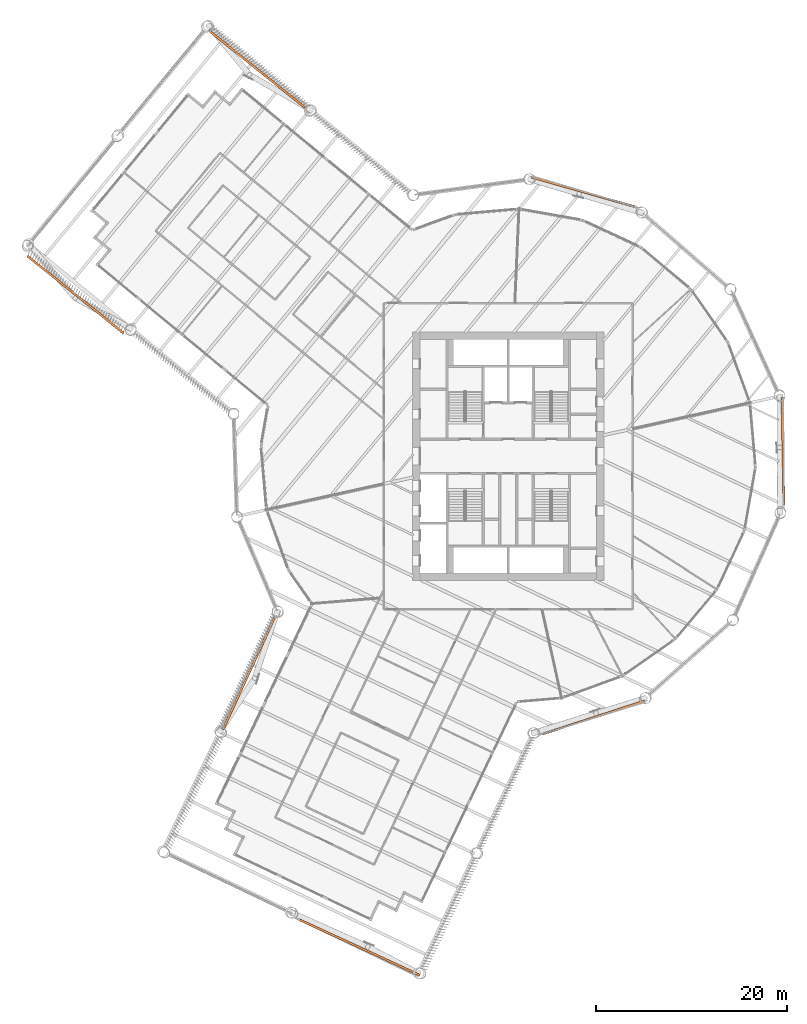
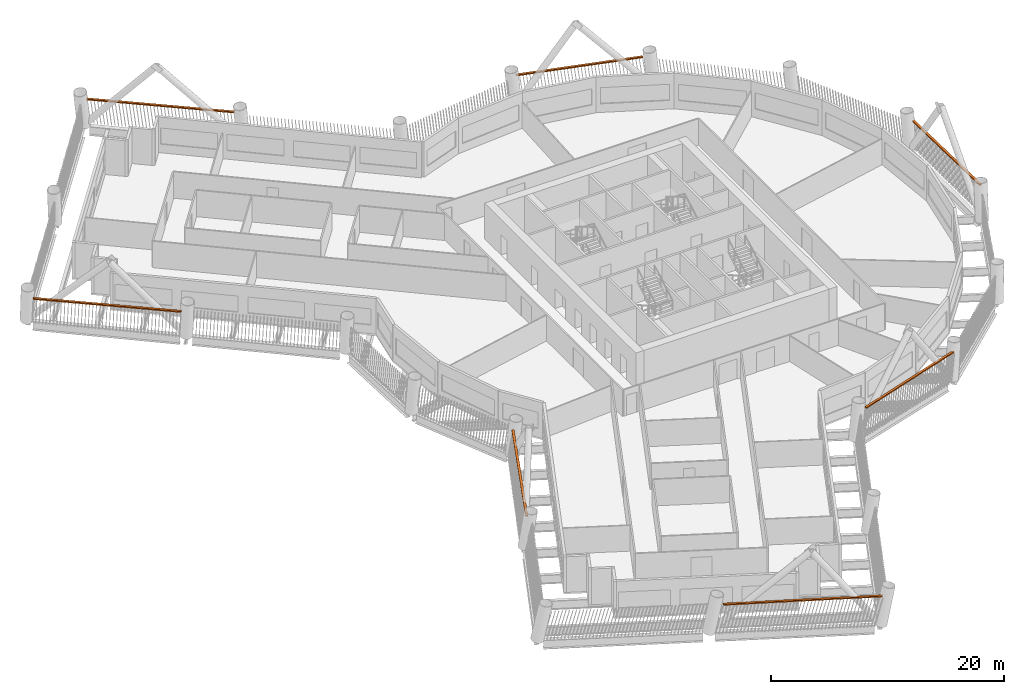
# One storey, part 22 of 22: 7 proxies.
"""IFC4 building model written with IfcOpenShell, lengths in metres."""

from ifc_helpers import new_model, si_unit, direction, frame, origin, origin_2d, place, context, subcontext, project, spatial, rectangle, extrude, material, type_object, element, save


model = new_model("IFC4")

# Units and contexts
model_context = context("Model", 3, precision=1e-05, world=origin(), true_north=direction((0.0, 1.0)))
body_context = subcontext(model_context, "Body", "Model", "MODEL_VIEW")
ifc_project = project(units=[si_unit("LENGTHUNIT", "METRE"), si_unit("AREAUNIT", "SQUARE_METRE"), si_unit("VOLUMEUNIT", "CUBIC_METRE"), si_unit("PLANEANGLEUNIT", "RADIAN"), si_unit("MASSUNIT", "GRAM", prefix="KILO")], contexts=[model_context])

# Site, building, storey
site_placement = place(None, origin())
site = spatial("IfcSite", under=ifc_project, at=site_placement, CompositionType="ELEMENT")
building_placement = place(site_placement, origin())
building = spatial("IfcBuilding", under=site, at=building_placement, Name="Tarsis Ring Headquarters", CompositionType="ELEMENT")
storey_placement = place(building_placement, frame((0.0, 0.0, 108.39990234375)))
storey = spatial("IfcBuildingStorey", under=building, at=storey_placement, Name="L24", CompositionType="ELEMENT", Elevation=108.39990234375)

# Proxies
ifc_material = material(Name="Structural steel S355", Category="steel")
building_element_proxy_type = type_object("IfcBuildingElementProxyType", Name="Screen bracket plate", PredefinedType="USERDEFINED", material=ifc_material)
proxy_1_placement = place(storey_placement, frame((-27.105224609375, -22.685302734375, 2.95263671875), z_axis=(0.0, 0.0, 1.0), x_axis=(-0.418501166872, -0.908216259118, 0.0)))
element("IfcBuildingElementProxy", 1, at=proxy_1_placement, inside=storey, type_object=building_element_proxy_type, Name="Screen bracket L24-01", ObjectType="Bracket", PredefinedType="USERDEFINED", context=body_context, shape_type="SweptSolid", body=[
    extrude(rectangle(XDim=12.90234375, YDim=0.222900390625, at=origin_2d()), origin(), (0.0, 0.0, 1.0), 0.1201171875),
])
proxy_2_placement = place(storey_placement, frame((-15.511474609375, -51.344482421875, 2.95263671875), z_axis=(0.0, 0.0, 1.0), x_axis=(0.908216207989, -0.418501277831, 0.0)))
element("IfcBuildingElementProxy", 2, at=proxy_2_placement, inside=storey, type_object=building_element_proxy_type, Name="Screen bracket L24-04", ObjectType="Bracket", PredefinedType="USERDEFINED", context=body_context, shape_type="SweptSolid", body=[
    extrude(rectangle(XDim=13.800048828125, YDim=0.222900390625, at=origin_2d()), origin(), (0.0, 0.0, 1.0), 0.1201171875),
])
for number, where, z_axis, x_axis, name in (
    (3, (8.90380859375, -27.303955078125, 2.95263671875), (0.0, 0.0, 1.0), (0.95072546705, 0.310034008298, 0.0), "Screen bracket L24-07"),
    (4, (28.7138671875, 0.545654296875, 2.95263671875), (0.0, 0.0, 1.0), (-0.019001146125, 0.999819461926, 0.0), "Screen bracket L24-10"),
    (5, (7.860107421875, 27.62255859375, 2.95263671875), (0.0, 0.0, 1.0), (-0.961818836338, 0.273686912485, 0.0), "Screen bracket L24-13"),
):
    element("IfcBuildingElementProxy", number, at=place(storey_placement, frame(where, z_axis=z_axis, x_axis=x_axis)), inside=storey, type_object=building_element_proxy_type, Name=name, ObjectType="Bracket", PredefinedType="USERDEFINED", context=body_context, shape_type="SweptSolid", body=[
        extrude(rectangle(XDim=11.248779296875, YDim=0.222900390625, at=origin_2d()), origin(), (0.0, 0.0, 1.0), 0.1201171875),
    ])
for number, where, z_axis, x_axis, name in (
    (6, (-26.297607421875, 40.488037109375, 2.95263671875), (0.0, 0.0, 1.0), (-0.779993726391, 0.625787333518, 0.0), "Screen bracket L24-16"),
    (7, (-45.22607421875, 16.895263671875, 2.95263671875), (0.0, 0.0, 1.0), (0.779993726391, -0.625787333518, 0.0), "Screen bracket L24-19"),
):
    element("IfcBuildingElementProxy", number, at=place(storey_placement, frame(where, z_axis=z_axis, x_axis=x_axis)), inside=storey, type_object=building_element_proxy_type, Name=name, ObjectType="Bracket", PredefinedType="USERDEFINED", context=body_context, shape_type="SweptSolid", body=[
        extrude(rectangle(XDim=12.90234375, YDim=0.222900390625, at=origin_2d()), origin(), (0.0, 0.0, 1.0), 0.1201171875),
    ])

save(model, "model.ifc")
